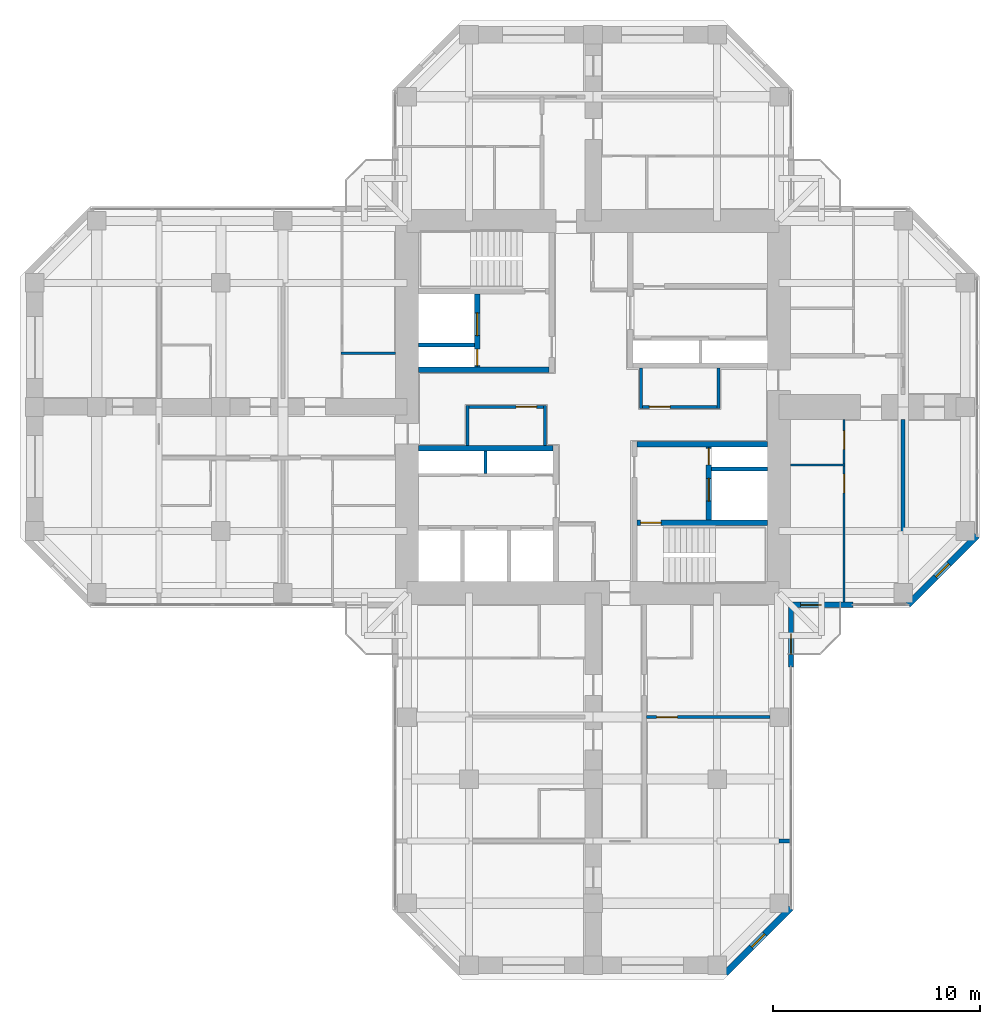
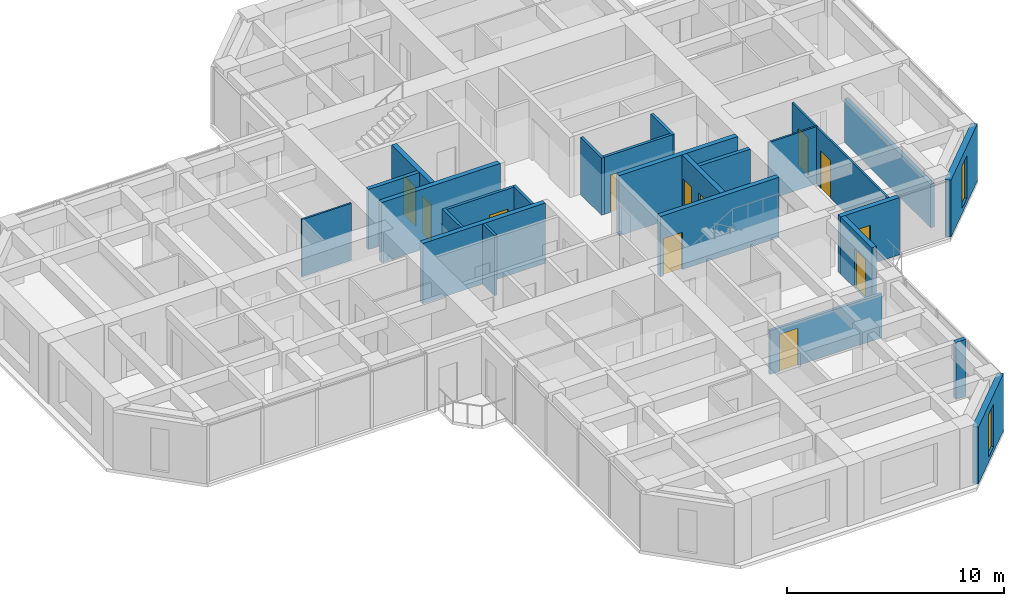
# One storey, part 10 of 14: 25 walls, 12 doors, 2 windows, 14 openings.
"""IFC4 building model written with IfcOpenShell, lengths in metres."""

import ifcopenshell
import ifcopenshell.guid

model = None  # the IFC model being written
_history = None  # IfcOwnerHistory: only IFC2X3 demands one
_inside = {}  # id of a spatial element -> (the spatial element, [elements in it])
_under = {}  # id of a project, library or spatial element -> (it, [spatial elements below it])
_declared = {}  # id of a project -> (the project, [libraries it declares])
_typed = {}  # id of a type object -> (the type object, [elements of that type])
_made_of = {}  # id of a material, layer set ... -> (it, [elements and type objects made of it])


def new_model(schema):
    """Start an empty IFC model of exactly this schema.

    Asked for "IFC4X3", IfcOpenShell would pick the latest addendum, in which some entities
    have other attributes; the version numbers below select the first issue.
    IFC2X3 requires an IfcOwnerHistory on every rooted entity: one is made here for all.
    """
    global model, _history
    if schema == "IFC4X3":
        model = ifcopenshell.file(schema_version=(4, 3, 0, 0))
    else:
        model = ifcopenshell.file(schema=schema)
    _inside.clear()
    _under.clear()
    _declared.clear()
    _typed.clear()
    _made_of.clear()
    _history = None
    if model.schema == "IFC2X3":
        org = make("IfcOrganization", Name="unknown")
        user = make(
            "IfcPersonAndOrganization",
            ThePerson=make("IfcPerson", FamilyName="unknown"),
            TheOrganization=org,
        )
        app = make(
            "IfcApplication",
            ApplicationDeveloper=org,
            Version="unknown",
            ApplicationFullName="unknown",
            ApplicationIdentifier="unknown",
        )
        _history = make(
            "IfcOwnerHistory",
            OwningUser=user,
            OwningApplication=app,
            ChangeAction="ADDED",
            CreationDate=0,
        )
    return model


def make(cls, **values):
    """One entity of the class cls with the attributes given. An attribute that is None is left unset."""
    return model.create_entity(
        cls, **{name: value for name, value in values.items() if value is not None}
    )


def rooted(cls, **values):
    """An entity with a GlobalId (a new one), such as an element, a storey or a relation."""
    return make(cls, GlobalId=ifcopenshell.guid.new(), OwnerHistory=_history, **values)


def si_unit(unit_type, name, prefix=None):
    """IfcSIUnit, for example si_unit("LENGTHUNIT", "METRE", prefix="MILLI")."""
    return make("IfcSIUnit", UnitType=unit_type, Prefix=prefix, Name=name)


def assignment(units):
    """IfcUnitAssignment: the units of a project."""
    return None if units is None else make("IfcUnitAssignment", Units=units)


def point(xyz):
    """IfcCartesianPoint."""
    return None if xyz is None else make("IfcCartesianPoint", Coordinates=xyz)


def direction(xyz):
    """IfcDirection."""
    return None if xyz is None else make("IfcDirection", DirectionRatios=xyz)


def frame(location, z_axis=None, x_axis=None):
    """IfcAxis2Placement3D, a coordinate frame: its origin and axes. An axis left out is left unset."""
    return make(
        "IfcAxis2Placement3D",
        Location=point(location),
        Axis=direction(z_axis),
        RefDirection=direction(x_axis),
    )


def frame_2d(location, x_axis=None):
    """IfcAxis2Placement2D, a coordinate frame in the plane: its origin and x axis."""
    return make(
        "IfcAxis2Placement2D", Location=point(location), RefDirection=direction(x_axis)
    )


def origin():
    """The frame at (0, 0, 0) with its axes left unset."""
    return frame((0.0, 0.0, 0.0))


def place(relative_to, where):
    """IfcLocalPlacement: puts the frame where relative to a parent placement (None: the world)."""
    return make(
        "IfcLocalPlacement", PlacementRelTo=relative_to, RelativePlacement=where
    )


def context(
    kind, dimensions, precision=None, world=None, true_north=None, identifier=None
):
    """IfcGeometricRepresentationContext, for example the 3D "Model" context."""
    return make(
        "IfcGeometricRepresentationContext",
        ContextIdentifier=identifier,
        ContextType=kind,
        CoordinateSpaceDimension=dimensions,
        Precision=precision,
        WorldCoordinateSystem=world,
        TrueNorth=true_north,
    )


def subcontext(parent, identifier, kind, view, scale=None):
    """IfcGeometricRepresentationSubContext, for example "Body" below "Model"."""
    return make(
        "IfcGeometricRepresentationSubContext",
        ContextIdentifier=identifier,
        ContextType=kind,
        ParentContext=parent,
        TargetScale=scale,
        TargetView=view,
    )


def project(units=None, contexts=None):
    """IfcProject with its units and contexts."""
    return rooted(
        "IfcProject",
        Name="project",
        RepresentationContexts=contexts,
        UnitsInContext=assignment(units),
    )


def spatial(cls, under=None, at=None, **own):
    """A site, building, storey or space (cls), placed at a placement, below another one or the project."""
    s = rooted(cls, ObjectPlacement=at, **own)
    if under is not None:
        _under.setdefault(under.id(), (under, []))[1].append(s)
    return s


def profile(cls, at=None, kind="AREA", **sizes):
    """A parametric profile (cls). Its sizes go by their IFC names, for example OverallWidth=200.0."""
    return make(cls, ProfileType=kind, Position=at, **sizes)


def rectangle(**sizes):
    """IfcRectangleProfileDef."""
    return profile("IfcRectangleProfileDef", **sizes)


def hollow_rectangle(**sizes):
    """IfcRectangleHollowProfileDef."""
    return profile("IfcRectangleHollowProfileDef", **sizes)


def extrude(swept, where, along, depth):
    """IfcExtrudedAreaSolid: the profile swept, set in the frame where, extruded along a direction by depth."""
    return make(
        "IfcExtrudedAreaSolid",
        SweptArea=swept,
        Position=where,
        ExtrudedDirection=direction(along),
        Depth=depth,
    )


def shape(context_of_items, identifier, shape_type, items):
    """IfcShapeRepresentation: the items that make up one representation, for example the "Body"."""
    return make(
        "IfcShapeRepresentation",
        ContextOfItems=context_of_items,
        RepresentationIdentifier=identifier,
        RepresentationType=shape_type,
        Items=items,
    )


def material(Name=None, Category=None):
    """IfcMaterial."""
    return make("IfcMaterial", Name=Name, Category=Category)


def layer(
    of_material, thickness, ventilated=None, Name=None, Category=None, Priority=None
):
    """IfcMaterialLayer: one layer of a wall or slab, of a material (None: an air gap)."""
    return make(
        "IfcMaterialLayer",
        Material=of_material,
        LayerThickness=thickness,
        IsVentilated=ventilated,
        Name=Name,
        Category=Category,
        Priority=Priority,
    )


def layer_set(layers, Name=None):
    """IfcMaterialLayerSet."""
    return make("IfcMaterialLayerSet", MaterialLayers=layers, LayerSetName=Name)


def constituent(of_material, Name=None, Category=None, fraction=None):
    """IfcMaterialConstituent: one of the materials an element consists of."""
    return make(
        "IfcMaterialConstituent",
        Name=Name,
        Material=of_material,
        Fraction=fraction,
        Category=Category,
    )


def constituent_set(constituents=None, Name=None):
    """IfcMaterialConstituentSet."""
    return make(
        "IfcMaterialConstituentSet", Name=Name, MaterialConstituents=constituents
    )


def made_of(thing, what):
    """Note that an element or type object is made of a material, layer set ...; save() writes the relation."""
    if what is not None:
        _made_of.setdefault(what.id(), (what, []))[1].append(thing)
    return thing


def type_object(cls, material=None, **own):
    """A type object (cls), such as IfcWallType, which elements share."""
    return made_of(rooted(cls, **own), material)


def element(
    cls,
    number,
    at=None,
    inside=None,
    cuts=None,
    type_object=None,
    material=None,
    context=None,
    identifier="Body",
    shape_type=None,
    held_by="IfcProductDefinitionShape",
    body=None,
    shapes=None,
    **own,
):
    """One element of the class cls, such as IfcWall. Its Tag is "e" and its number.

    at: its placement. inside: the storey or other place that contains it. cuts: it is an
    opening in that element (IfcRelVoidsElement). A single representation is given by context,
    identifier, shape_type and body (its items); several are given by shapes. held_by: the class
    of the entity that holds the representations. save() writes the other relations.
    """
    e = rooted(cls, Tag="e%d" % number, ObjectPlacement=at, **own)
    if body is not None:
        shapes = [shape(context, identifier, shape_type, body)]
    if shapes is not None:
        e.Representation = make(held_by, Representations=shapes)
    if inside is not None:
        _inside.setdefault(inside.id(), (inside, []))[1].append(e)
    if cuts is not None:
        rooted(
            "IfcRelVoidsElement", RelatingBuildingElement=cuts, RelatedOpeningElement=e
        )
    if type_object is not None:
        _typed.setdefault(type_object.id(), (type_object, []))[1].append(e)
    return made_of(e, material)


def fill(opening, filler):
    """IfcRelFillsElement: the door or window that sits in an opening."""
    return rooted(
        "IfcRelFillsElement",
        RelatingOpeningElement=opening,
        RelatedBuildingElement=filler,
    )


def aggregate(whole, parts):
    """IfcRelAggregates: a whole, such as a stair, and the parts it consists of."""
    return rooted("IfcRelAggregates", RelatingObject=whole, RelatedObjects=parts)


def save(model, path):
    """Write the relations noted so far, then the file.

    IfcRelAggregates (storeys below a building ...), IfcRelContainedInSpatialStructure (elements
    in a storey), IfcRelDefinesByType, IfcRelAssociatesMaterial and IfcRelDeclares: one each for
    every whole, place, type object, material and project.
    """
    for whole, parts in _under.values():
        aggregate(whole, parts)
    for where, things in _inside.values():
        rooted(
            "IfcRelContainedInSpatialStructure",
            RelatedElements=things,
            RelatingStructure=where,
        )
    for kind, things in _typed.values():
        rooted("IfcRelDefinesByType", RelatedObjects=things, RelatingType=kind)
    for what, things in _made_of.values():
        rooted("IfcRelAssociatesMaterial", RelatedObjects=things, RelatingMaterial=what)
    for by, libraries in _declared.values():
        rooted("IfcRelDeclares", RelatingContext=by, RelatedDefinitions=libraries)
    model.write(path)


model = new_model("IFC4")

# Units and contexts
model_context = context("Model", 3, precision=1e-05, world=origin(), true_north=direction((0.0, 1.0)))
body_context = subcontext(model_context, "Body", "Model", "MODEL_VIEW")
ifc_project = project(units=[si_unit("LENGTHUNIT", "METRE"), si_unit("AREAUNIT", "SQUARE_METRE"), si_unit("VOLUMEUNIT", "CUBIC_METRE"), si_unit("PLANEANGLEUNIT", "RADIAN"), si_unit("MASSUNIT", "GRAM", prefix="KILO")], contexts=[model_context])

# Site, building, storey
site_placement = place(None, origin())
site = spatial("IfcSite", under=ifc_project, at=site_placement, CompositionType="ELEMENT")
building_placement = place(site_placement, origin())
building = spatial("IfcBuilding", under=site, at=building_placement, Name="Torre Cruceta", CompositionType="ELEMENT")
storey_placement = place(building_placement, frame((0.0, 0.0, 183.10009765625)))
storey = spatial("IfcBuildingStorey", under=building, at=storey_placement, Name="L45", CompositionType="ELEMENT", Elevation=183.10009765625)

# Wall
ifc_material_1 = material(Name="Water-resistant plasterboard on steel studs", Category="steel")
ifc_layer_1 = layer(ifc_material_1, 0.10009765625)
ifc_layer_set_1 = layer_set([ifc_layer_1], Name="Water-resistant plasterboard on steel studs")
wall_type_1 = type_object("IfcWallType", Name="BATHROOM WALL 100", PredefinedType="PARTITIONING", material=ifc_layer_set_1)
wall_1_placement = place(storey_placement, frame((9.550048828125, -2.800048828125, 0.0), z_axis=(0.0, 0.0, 1.0), x_axis=(1.0, 0.0, 0.0)))
element("IfcWall", 1, at=wall_1_placement, inside=storey, type_object=wall_type_1, Name="PT4 L45-E-U1RBB", PredefinedType="PARTITIONING", context=body_context, shape_type="SweptSolid", body=[
    extrude(rectangle(XDim=2.64990234375, YDim=0.10009765625, at=frame_2d((1.324951171875, 0.0))), origin(), (0.0, 0.0, 1.0), 3.219970703125),
])

# Wall, openings, doors
wall_2_placement = place(storey_placement, frame((12.14990234375, -9.445068359375, 0.0), z_axis=(0.0, 0.0, 1.0), x_axis=(0.0, 1.0, 0.0)))
wall_2 = element("IfcWall", 2, at=wall_2_placement, inside=storey, type_object=wall_type_1, Name="PT4 L45-E-U1RBS", PredefinedType="PARTITIONING", context=body_context, shape_type="SweptSolid", body=[
    extrude(rectangle(XDim=8.844970703125, YDim=0.10009765625, at=frame_2d((4.42236328125, 0.0))), origin(), (0.0, 0.0, 1.0), 3.219970703125),
])
opening_1_placement = place(wall_2_placement, frame((5.294921875, 0.0, 0.0)))
opening_1 = element("IfcOpeningElement", 3, at=opening_1_placement, cuts=wall_2, Name="Opening D7", PredefinedType="OPENING", context=body_context, shape_type="SweptSolid", body=[
    extrude(rectangle(XDim=0.89990234375, YDim=2.10009765625, at=frame_2d((0.449951171875, 1.050048828125))), frame((0.0, 0.06005859375, 0.0), z_axis=(0.0, -1.0, 0.0), x_axis=(1.0, 0.0, 0.0)), (0.0, 0.0, 1.0), 0.1201171875),
])
opening_2_placement = place(wall_2_placement, frame((7.39501953125, 0.0, 0.0)))
opening_2 = element("IfcOpeningElement", 4, at=opening_2_placement, cuts=wall_2, Name="Opening D7", PredefinedType="OPENING", context=body_context, shape_type="SweptSolid", body=[
    extrude(rectangle(XDim=0.89990234375, YDim=2.10009765625, at=frame_2d((0.449951171875, 1.050048828125))), frame((0.0, 0.06005859375, 0.0), z_axis=(0.0, -1.0, 0.0), x_axis=(1.0, 0.0, 0.0)), (0.0, 0.0, 1.0), 0.1201171875),
])
ifc_material_2 = material(Name="Timber door", Category="wood")
door_type_1 = type_object("IfcDoorType", Name="BATHROOM DOOR 900X2100", OperationType="SINGLE_SWING_LEFT", PredefinedType="DOOR", material=ifc_material_2)
door_1_placement = place(opening_1_placement, origin())
door_1 = element("IfcDoor", 5, at=door_1_placement, inside=storey, type_object=door_type_1, Name="D7 L45-E-U1RBS-D1", OperationType="SINGLE_SWING_RIGHT", OverallHeight=2.10009765625, OverallWidth=0.89990234375, PredefinedType="DOOR", context=body_context, shape_type="SweptSolid", body=[
    extrude(rectangle(XDim=0.89990234375, YDim=2.10009765625, at=frame_2d((0.449951171875, 1.050048828125))), frame((0.0, 0.02490234375, 0.0), z_axis=(0.0, -1.0, 0.0), x_axis=(1.0, 0.0, 0.0)), (0.0, 0.0, 1.0), 0.050048828125),
])
fill(opening_1, door_1)
door_2_placement = place(opening_2_placement, origin())
door_2 = element("IfcDoor", 6, at=door_2_placement, inside=storey, type_object=door_type_1, Name="D7 L45-E-U1RBS-D2", OperationType="SINGLE_SWING_RIGHT", OverallHeight=2.10009765625, OverallWidth=0.89990234375, PredefinedType="DOOR", context=body_context, shape_type="SweptSolid", body=[
    extrude(rectangle(XDim=0.89990234375, YDim=2.10009765625, at=frame_2d((0.449951171875, 1.050048828125))), frame((0.0, 0.02490234375, 0.0), z_axis=(0.0, -1.0, 0.0), x_axis=(1.0, 0.0, 0.0)), (0.0, 0.0, 1.0), 0.050048828125),
])
fill(opening_2, door_2)

# Walls
wall_3_placement = place(storey_placement, frame((-9.550048828125, 2.60009765625, 0.0), z_axis=(0.0, 0.0, 1.0), x_axis=(-1.0, 0.0, 0.0)))
element("IfcWall", 7, at=wall_3_placement, inside=storey, type_object=wall_type_1, Name="PT4 L45-W-U1RBB", PredefinedType="PARTITIONING", context=body_context, shape_type="SweptSolid", body=[
    extrude(rectangle(XDim=2.64990234375, YDim=0.10009765625, at=frame_2d((1.324951171875, 0.0))), origin(), (0.0, 0.0, 1.0), 3.219970703125),
])
ifc_material_3 = material(Name="Concrete G60 (fck 60 MPa)", Category="concrete")
ifc_layer_2 = layer(ifc_material_3, 0.25)
ifc_layer_set_2 = layer_set([ifc_layer_2], Name="Concrete G60 (fck 60 MPa)")
wall_type_2 = type_object("IfcWallType", Name="CORE INNER WALL 250 G60", PredefinedType="SHEAR", material=ifc_layer_set_2)
wall_4_placement = place(storey_placement, frame((-2.125, 1.800048828125, 0.0), z_axis=(0.0, 0.0, 1.0), x_axis=(-1.0, 0.0, 0.0)))
element("IfcWall", 8, at=wall_4_placement, inside=storey, type_object=wall_type_2, Name="CW4 L45 NW-CV", PredefinedType="SHEAR", context=body_context, shape_type="SweptSolid", body=[
    extrude(rectangle(XDim=6.324951171875, YDim=0.25, at=frame_2d((3.16259765625, 0.0))), origin(), (0.0, 0.0, 1.0), 3.39990234375),
])

# Wall, openings, doors
wall_5_placement = place(storey_placement, frame((-5.60009765625, 1.925048828125, 0.0), z_axis=(0.0, 0.0, 1.0), x_axis=(0.0, 1.0, 0.0)))
wall_5 = element("IfcWall", 9, at=wall_5_placement, inside=storey, type_object=wall_type_2, Name="CW4 L45 NW-FU", PredefinedType="SHEAR", context=body_context, shape_type="SweptSolid", body=[
    extrude(rectangle(XDim=3.550048828125, YDim=0.25, at=frame_2d((1.77490234375, 0.0))), origin(), (0.0, 0.0, 1.0), 3.39990234375),
])
opening_3_placement = place(wall_5_placement, frame((1.52490234375, 0.0, 0.0)))
opening_3 = element("IfcOpeningElement", 10, at=opening_3_placement, cuts=wall_5, Name="Opening LD1", PredefinedType="OPENING", context=body_context, shape_type="SweptSolid", body=[
    extrude(rectangle(XDim=1.10009765625, YDim=2.199951171875, at=frame_2d((0.550048828125, 1.10009765625))), frame((0.0, 0.135009765625, 0.0), z_axis=(0.0, -1.0, 0.0), x_axis=(1.0, 0.0, 0.0)), (0.0, 0.0, 1.0), 0.27001953125),
])
opening_4_placement = place(wall_5_placement, frame((0.074951171875, 0.0, 0.0)))
opening_4 = element("IfcOpeningElement", 11, at=opening_4_placement, cuts=wall_5, Name="Opening D5", PredefinedType="OPENING", context=body_context, shape_type="SweptSolid", body=[
    extrude(rectangle(XDim=0.800048828125, YDim=2.10009765625, at=frame_2d((0.39990234375, 1.050048828125))), frame((0.0, 0.135009765625, 0.0), z_axis=(0.0, -1.0, 0.0), x_axis=(1.0, 0.0, 0.0)), (0.0, 0.0, 1.0), 0.27001953125),
])
ifc_material_4 = material(Name="Stainless steel 1.4401", Category="steel")
door_type_2 = type_object("IfcDoorType", Name="LIFT LANDING DOOR 1100X2200", OperationType="DOUBLE_DOOR_SLIDING", PredefinedType="DOOR", material=ifc_material_4)
door_3_placement = place(opening_3_placement, origin())
door_3 = element("IfcDoor", 12, at=door_3_placement, inside=storey, type_object=door_type_2, Name="Lift landing door FL1", OperationType="DOUBLE_DOOR_SLIDING", OverallHeight=2.199951171875, OverallWidth=1.10009765625, PredefinedType="DOOR", context=body_context, shape_type="SweptSolid", body=[
    extrude(rectangle(XDim=1.10009765625, YDim=2.199951171875, at=frame_2d((0.550048828125, 1.10009765625))), frame((0.0, 0.02490234375, 0.0), z_axis=(0.0, -1.0, 0.0), x_axis=(1.0, 0.0, 0.0)), (0.0, 0.0, 1.0), 0.050048828125),
])
fill(opening_3, door_3)
ifc_material_5 = material(Name="Steel DX51D", Category="steel")
ifc_constituent_1 = constituent(ifc_material_5, Name="Leaf and frame")
ifc_material_6 = material(Name="Polyester powder coating", Category="paint")
ifc_constituent_2 = constituent(ifc_material_6, Name="Finish")
ifc_constituent_set_1 = constituent_set(constituents=[ifc_constituent_1, ifc_constituent_2], Name="Steel fire door")
door_type_3 = type_object("IfcDoorType", Name="RISER ACCESS DOOR 800X2100", OperationType="SINGLE_SWING_LEFT", PredefinedType="DOOR", material=ifc_constituent_set_1)
door_4_placement = place(opening_4_placement, origin())
door_4 = element("IfcDoor", 13, at=door_4_placement, inside=storey, type_object=door_type_3, Name="D5 L45 NW-RISER", OperationType="SINGLE_SWING_LEFT", OverallHeight=2.10009765625, OverallWidth=0.800048828125, PredefinedType="DOOR", context=body_context, shape_type="SweptSolid", body=[
    extrude(rectangle(XDim=0.800048828125, YDim=2.10009765625, at=frame_2d((0.39990234375, 1.050048828125))), frame((0.0, 0.02490234375, 0.0), z_axis=(0.0, -1.0, 0.0), x_axis=(1.0, 0.0, 0.0)), (0.0, 0.0, 1.0), 0.050048828125),
])
fill(opening_4, door_4)

# Walls
wall_6_placement = place(storey_placement, frame((-1.925048828125, -2.0, 0.0), z_axis=(0.0, 0.0, 1.0), x_axis=(-1.0, 0.0, 0.0)))
element("IfcWall", 14, at=wall_6_placement, inside=storey, type_object=wall_type_2, Name="CW4 L45 SW-CV", PredefinedType="SHEAR", context=body_context, shape_type="SweptSolid", body=[
    extrude(rectangle(XDim=6.52490234375, YDim=0.25, at=frame_2d((3.262451171875, 0.0))), origin(), (0.0, 0.0, 1.0), 3.39990234375),
])
wall_7_placement = place(storey_placement, frame((2.125, -1.800048828125, 0.0), z_axis=(0.0, 0.0, 1.0), x_axis=(1.0, 0.0, 0.0)))
element("IfcWall", 15, at=wall_7_placement, inside=storey, type_object=wall_type_2, Name="CW4 L45 SE-CV", PredefinedType="SHEAR", context=body_context, shape_type="SweptSolid", body=[
    extrude(rectangle(XDim=6.324951171875, YDim=0.25, at=frame_2d((3.16259765625, 0.0))), origin(), (0.0, 0.0, 1.0), 3.39990234375),
])

# Wall, opening, door
wall_8_placement = place(storey_placement, frame((2.125, -5.60009765625, 0.0), z_axis=(0.0, 0.0, 1.0), x_axis=(1.0, 0.0, 0.0)))
wall_8 = element("IfcWall", 16, at=wall_8_placement, inside=storey, type_object=wall_type_2, Name="CW4 L45 SE-SV", PredefinedType="SHEAR", context=body_context, shape_type="SweptSolid", body=[
    extrude(rectangle(XDim=6.324951171875, YDim=0.25, at=frame_2d((3.16259765625, 0.0))), origin(), (0.0, 0.0, 1.0), 3.39990234375),
])
opening_5_placement = place(wall_8_placement, frame((0.175048828125, 0.0, 0.0)))
opening_5 = element("IfcOpeningElement", 17, at=opening_5_placement, cuts=wall_8, Name="Opening D3", PredefinedType="OPENING", context=body_context, shape_type="SweptSolid", body=[
    extrude(rectangle(XDim=1.0, YDim=2.10009765625, at=frame_2d((0.5, 1.050048828125))), frame((0.0, 0.135009765625, 0.0), z_axis=(0.0, -1.0, 0.0), x_axis=(1.0, 0.0, 0.0)), (0.0, 0.0, 1.0), 0.27001953125),
])
ifc_material_7 = material(Name="Steel DX51D", Category="steel")
ifc_constituent_3 = constituent(ifc_material_7, Name="Leaf and frame")
ifc_material_8 = material(Name="Polyester powder coating", Category="paint")
ifc_constituent_4 = constituent(ifc_material_8, Name="Finish")
ifc_constituent_set_2 = constituent_set(constituents=[ifc_constituent_3, ifc_constituent_4], Name="Steel fire door")
door_type_4 = type_object("IfcDoorType", Name="FIRE DOOR 1000X2100", OperationType="SINGLE_SWING_LEFT", PredefinedType="DOOR", material=ifc_constituent_set_2)
door_5_placement = place(opening_5_placement, frame((1.0, 0.0, 0.0), z_axis=(0.0, 0.0, 1.0), x_axis=(-1.0, 0.0, 0.0)))
door_5 = element("IfcDoor", 18, at=door_5_placement, inside=storey, type_object=door_type_4, Name="D3 L45 SE-STAIR", OperationType="SINGLE_SWING_RIGHT", OverallHeight=2.10009765625, OverallWidth=1.0, PredefinedType="DOOR", context=body_context, shape_type="SweptSolid", body=[
    extrude(rectangle(XDim=1.0, YDim=2.10009765625, at=frame_2d((0.5, 1.050048828125))), frame((0.0, 0.025146484375, 0.0), z_axis=(0.0, -1.0, 0.0), x_axis=(1.0, 0.0, 0.0)), (0.0, 0.0, 1.0), 0.050048828125),
])
fill(opening_5, door_5)

# Wall, openings, doors
wall_9_placement = place(storey_placement, frame((5.60009765625, -1.925048828125, 0.0), z_axis=(0.0, 0.0, 1.0), x_axis=(0.0, -1.0, 0.0)))
wall_9 = element("IfcWall", 19, at=wall_9_placement, inside=storey, type_object=wall_type_2, Name="CW4 L45 SE-FU", PredefinedType="SHEAR", context=body_context, shape_type="SweptSolid", body=[
    extrude(rectangle(XDim=3.550048828125, YDim=0.25, at=frame_2d((1.77490234375, 0.0))), origin(), (0.0, 0.0, 1.0), 3.39990234375),
])
opening_6_placement = place(wall_9_placement, frame((1.52490234375, 0.0, 0.0)))
opening_6 = element("IfcOpeningElement", 20, at=opening_6_placement, cuts=wall_9, Name="Opening LD1", PredefinedType="OPENING", context=body_context, shape_type="SweptSolid", body=[
    extrude(rectangle(XDim=1.10009765625, YDim=2.199951171875, at=frame_2d((0.550048828125, 1.10009765625))), frame((0.0, 0.135009765625, 0.0), z_axis=(0.0, -1.0, 0.0), x_axis=(1.0, 0.0, 0.0)), (0.0, 0.0, 1.0), 0.27001953125),
])
opening_7_placement = place(wall_9_placement, frame((0.074951171875, 0.0, 0.0)))
opening_7 = element("IfcOpeningElement", 21, at=opening_7_placement, cuts=wall_9, Name="Opening D5", PredefinedType="OPENING", context=body_context, shape_type="SweptSolid", body=[
    extrude(rectangle(XDim=0.800048828125, YDim=2.10009765625, at=frame_2d((0.39990234375, 1.050048828125))), frame((0.0, 0.135009765625, 0.0), z_axis=(0.0, -1.0, 0.0), x_axis=(1.0, 0.0, 0.0)), (0.0, 0.0, 1.0), 0.27001953125),
])
door_6_placement = place(opening_6_placement, origin())
door_6 = element("IfcDoor", 22, at=door_6_placement, inside=storey, type_object=door_type_2, Name="Lift landing door FL2", OperationType="DOUBLE_DOOR_SLIDING", OverallHeight=2.199951171875, OverallWidth=1.10009765625, PredefinedType="DOOR", context=body_context, shape_type="SweptSolid", body=[
    extrude(rectangle(XDim=1.10009765625, YDim=2.199951171875, at=frame_2d((0.550048828125, 1.10009765625))), frame((0.0, 0.02490234375, 0.0), z_axis=(0.0, -1.0, 0.0), x_axis=(1.0, 0.0, 0.0)), (0.0, 0.0, 1.0), 0.050048828125),
])
fill(opening_6, door_6)
door_7_placement = place(opening_7_placement, origin())
door_7 = element("IfcDoor", 23, at=door_7_placement, inside=storey, type_object=door_type_3, Name="D5 L45 SE-RISER", OperationType="SINGLE_SWING_LEFT", OverallHeight=2.10009765625, OverallWidth=0.800048828125, PredefinedType="DOOR", context=body_context, shape_type="SweptSolid", body=[
    extrude(rectangle(XDim=0.800048828125, YDim=2.10009765625, at=frame_2d((0.39990234375, 1.050048828125))), frame((0.0, 0.02490234375, 0.0), z_axis=(0.0, -1.0, 0.0), x_axis=(1.0, 0.0, 0.0)), (0.0, 0.0, 1.0), 0.050048828125),
])
fill(opening_7, door_7)

# Wall, opening, window
ifc_material_9 = material(Name="Concrete G30 (fck 30 MPa)", Category="concrete")
ifc_layer_3 = layer(ifc_material_9, 0.300048828125)
ifc_layer_set_3 = layer_set([ifc_layer_3], Name="Concrete G30 (fck 30 MPa)")
wall_type_3 = type_object("IfcWallType", Name="EXPOSED CONCRETE FACADE WALL 300", PredefinedType="SOLIDWALL", material=ifc_layer_set_3)
wall_10_placement = place(storey_placement, frame((15.236083984375, -9.570068359375, 0.0), z_axis=(0.0, 0.0, 1.0), x_axis=(0.707106781187, 0.707106781187, 0.0)))
wall_10 = element("IfcWall", 24, at=wall_10_placement, inside=storey, type_object=wall_type_3, Name="EW1 facade wall L45 E chamfer 01", PredefinedType="SOLIDWALL", context=body_context, shape_type="SweptSolid", body=[
    extrude(rectangle(XDim=4.715087890625, YDim=0.300048828125, at=frame_2d((2.357421875, 0.0))), origin(), (0.0, 0.0, 1.0), 3.219970703125),
])
opening_8_placement = place(wall_10_placement, frame((1.907470703125, 0.0, 0.300048828125)))
opening_8 = element("IfcOpeningElement", 25, at=opening_8_placement, cuts=wall_10, Name="Opening WN5", PredefinedType="OPENING", context=body_context, shape_type="SweptSolid", body=[
    extrude(rectangle(XDim=0.89990234375, YDim=2.39990234375, at=frame_2d((0.449951171875, 1.199951171875))), frame((0.0, 0.159912109375, 0.0), z_axis=(0.0, -1.0, 0.0), x_axis=(1.0, 0.0, 0.0)), (0.0, 0.0, 1.0), 0.320068359375),
])
ifc_material_10 = material(Name="Aluminium window frame", Category="aluminium")
ifc_constituent_5 = constituent(ifc_material_10, Name="Frame")
ifc_material_11 = material(Name="Laminated insulating glass unit, low-iron clear", Category="glass")
ifc_constituent_6 = constituent(ifc_material_11, Name="Glazing")
ifc_constituent_set_3 = constituent_set(constituents=[ifc_constituent_5, ifc_constituent_6], Name="Aluminium window")
window_type = type_object("IfcWindowType", Name="CHAMFER SLOT WINDOW 900X2400", PartitioningType="SINGLE_PANEL", PredefinedType="WINDOW", material=ifc_constituent_set_3)
window_1_placement = place(opening_8_placement, origin())
window_1 = element("IfcWindow", 26, at=window_1_placement, inside=storey, type_object=window_type, Name="WN5 L45 E 1", OverallHeight=2.39990234375, OverallWidth=0.89990234375, PartitioningType="SINGLE_PANEL", PredefinedType="WINDOW", context=body_context, shape_type="SweptSolid", body=[
    extrude(hollow_rectangle(XDim=0.89990234375, YDim=2.39990234375, WallThickness=0.06005859375, at=frame_2d((0.449951171875, 1.199951171875))), frame((0.0, 0.030029296875, 0.0), z_axis=(0.0, -1.0, 0.0), x_axis=(1.0, 0.0, 0.0)), (0.0, 0.0, 1.0), 0.06005859375),
    extrude(rectangle(XDim=0.77880859375, YDim=2.27880859375, at=frame_2d((0.449951171875, 1.199951171875))), frame((0.0, 0.030029296875, 0.0), z_axis=(0.0, -1.0, 0.0), x_axis=(1.0, 0.0, 0.0)), (0.0, 0.0, 1.0), 0.06005859375),
])
fill(opening_8, window_1)

wall_11_placement = place(storey_placement, frame((6.406005859375, -27.39990234375, 0.0), z_axis=(0.0, 0.0, 1.0), x_axis=(0.707134062067, 0.707079499254, 0.0)))
wall_11 = element("IfcWall", 27, at=wall_11_placement, inside=storey, type_object=wall_type_3, Name="EW1 facade wall L45 S chamfer 18", PredefinedType="SOLIDWALL", context=body_context, shape_type="SweptSolid", body=[
    extrude(rectangle(XDim=4.474609375, YDim=0.300048828125, at=frame_2d((2.2373046875, 0.0))), origin(), (0.0, 0.0, 1.0), 3.219970703125),
])
opening_9_placement = place(wall_11_placement, frame((1.787109375, 0.0, 0.300048828125)))
opening_9 = element("IfcOpeningElement", 28, at=opening_9_placement, cuts=wall_11, Name="Opening WN5", PredefinedType="OPENING", context=body_context, shape_type="SweptSolid", body=[
    extrude(rectangle(XDim=0.89990234375, YDim=2.39990234375, at=frame_2d((0.449951171875, 1.199951171875))), frame((0.0, 0.159912109375, 0.0), z_axis=(0.0, -1.0, 0.0), x_axis=(1.0, 0.0, 0.0)), (0.0, 0.0, 1.0), 0.320068359375),
])
window_2_placement = place(opening_9_placement, origin())
window_2 = element("IfcWindow", 29, at=window_2_placement, inside=storey, type_object=window_type, Name="WN5 L45 S 1", OverallHeight=2.39990234375, OverallWidth=0.89990234375, PartitioningType="SINGLE_PANEL", PredefinedType="WINDOW", context=body_context, shape_type="SweptSolid", body=[
    extrude(hollow_rectangle(XDim=0.89990234375, YDim=2.39990234375, WallThickness=0.06005859375, at=frame_2d((0.449951171875, 1.199951171875))), frame((0.0, 0.030029296875, 0.0), z_axis=(0.0, -1.0, 0.0), x_axis=(1.0, 0.0, 0.0)), (0.0, 0.0, 1.0), 0.06005859375),
    extrude(rectangle(XDim=0.77880859375, YDim=2.27880859375, at=frame_2d((0.449951171875, 1.199951171875))), frame((0.0, 0.030029296875, 0.0), z_axis=(0.0, -1.0, 0.0), x_axis=(1.0, 0.0, 0.0)), (0.0, 0.0, 1.0), 0.06005859375),
])
fill(opening_9, window_2)

# Walls
ifc_material_12 = material(Name="Concrete G35 (fck 35 MPa)", Category="concrete")
ifc_layer_4 = layer(ifc_material_12, 0.199951171875)
ifc_layer_set_4 = layer_set([ifc_layer_4], Name="Concrete G35 (fck 35 MPa)")
wall_type_4 = type_object("IfcWallType", Name="LIFT SHAFT WALL 200", PredefinedType="PARTITIONING", material=ifc_layer_set_4)
for number, where, z_axis, x_axis, name in (
    (30, (-5.72509765625, 3.0, 0.0), (0.0, 0.0, 1.0), (-1.0, 0.0, 0.0), "SW1 L45 NW-FR"),
    (31, (5.72509765625, -3.0, 0.0), (0.0, 0.0, 1.0), (1.0, 0.0, 0.0), "SW1 L45 SE-FR"),
):
    element("IfcWall", number, at=place(storey_placement, frame(where, z_axis=z_axis, x_axis=x_axis)), inside=storey, type_object=wall_type_4, Name=name, PredefinedType="PARTITIONING", context=body_context, shape_type="SweptSolid", body=[
        extrude(rectangle(XDim=2.724853515625, YDim=0.199951171875, at=frame_2d((1.3623046875, 0.0))), origin(), (0.0, 0.0, 1.0), 3.39990234375),
    ])

# Wall, opening, door
ifc_material_13 = material(Name="Plasterboard on steel studs", Category="steel")
ifc_layer_5 = layer(ifc_material_13, 0.14990234375)
ifc_layer_set_5 = layer_set([ifc_layer_5], Name="Plasterboard on steel studs")
wall_type_5 = type_object("IfcWallType", Name="PARTITION 150", PredefinedType="PARTITIONING", material=ifc_layer_set_5)
wall_12_placement = place(storey_placement, frame((2.324951171875, 0.0, 0.0), z_axis=(0.0, 0.0, 1.0), x_axis=(1.0, 0.0, 0.0)))
wall_12 = element("IfcWall", 32, at=wall_12_placement, inside=storey, type_object=wall_type_5, Name="PT1 L45-CORE-LEGE-N-W1", PredefinedType="PARTITIONING", context=body_context, shape_type="SweptSolid", body=[
    extrude(rectangle(XDim=3.75, YDim=0.14990234375, at=frame_2d((1.875, 0.0))), origin(), (0.0, 0.0, 1.0), 3.219970703125),
])
opening_10_placement = place(wall_12_placement, frame((0.39990234375, 0.0, 0.0)))
opening_10 = element("IfcOpeningElement", 33, at=opening_10_placement, cuts=wall_12, Name="Opening D3", PredefinedType="OPENING", context=body_context, shape_type="SweptSolid", body=[
    extrude(rectangle(XDim=1.0, YDim=2.10009765625, at=frame_2d((0.5, 1.050048828125))), frame((0.0, 0.0849609375, 0.0), z_axis=(0.0, -1.0, 0.0), x_axis=(1.0, 0.0, 0.0)), (0.0, 0.0, 1.0), 0.169921875),
])
door_8_placement = place(opening_10_placement, origin())
door_8 = element("IfcDoor", 34, at=door_8_placement, inside=storey, type_object=door_type_4, Name="D3 L45-CORE-LEGE-N-W1-D1", OperationType="SINGLE_SWING_LEFT", OverallHeight=2.10009765625, OverallWidth=1.0, PredefinedType="DOOR", context=body_context, shape_type="SweptSolid", body=[
    extrude(rectangle(XDim=1.0, YDim=2.10009765625, at=frame_2d((0.5, 1.050048828125))), frame((0.0, 0.02490234375, 0.0), z_axis=(0.0, -1.0, 0.0), x_axis=(1.0, 0.0, 0.0)), (0.0, 0.0, 1.0), 0.050048828125),
])
fill(opening_10, door_8)

# Walls
for number, where, z_axis, x_axis, name in (
    (35, (2.324951171875, 1.875, 0.0), (0.0, 0.0, 1.0), (0.0, -1.0, 0.0), "PT1 L45-CORE-LEGE-N-W2"),
    (36, (6.074951171875, -0.074951171875, 0.0), (0.0, 0.0, 1.0), (0.0, 1.0, 0.0), "PT1 L45-CORE-LEGE-N-W3"),
):
    element("IfcWall", number, at=place(storey_placement, frame(where, z_axis=z_axis, x_axis=x_axis)), inside=storey, type_object=wall_type_5, Name=name, PredefinedType="PARTITIONING", context=body_context, shape_type="SweptSolid", body=[
        extrude(rectangle(XDim=1.949951171875, YDim=0.14990234375, at=frame_2d((0.97509765625, 0.0))), origin(), (0.0, 0.0, 1.0), 3.219970703125),
    ])

# Wall, opening, door
wall_13_placement = place(storey_placement, frame((-2.324951171875, 0.0, 0.0), z_axis=(0.0, 0.0, 1.0), x_axis=(-1.0, 0.0, 0.0)))
wall_13 = element("IfcWall", 37, at=wall_13_placement, inside=storey, type_object=wall_type_5, Name="PT1 L45-CORE-LEGW-S-W1", PredefinedType="PARTITIONING", context=body_context, shape_type="SweptSolid", body=[
    extrude(rectangle(XDim=3.75, YDim=0.14990234375, at=frame_2d((1.875, 0.0))), origin(), (0.0, 0.0, 1.0), 3.219970703125),
])
opening_11_placement = place(wall_13_placement, frame((0.39990234375, 0.0, 0.0)))
opening_11 = element("IfcOpeningElement", 38, at=opening_11_placement, cuts=wall_13, Name="Opening D3", PredefinedType="OPENING", context=body_context, shape_type="SweptSolid", body=[
    extrude(rectangle(XDim=1.0, YDim=2.10009765625, at=frame_2d((0.5, 1.050048828125))), frame((0.0, 0.0849609375, 0.0), z_axis=(0.0, -1.0, 0.0), x_axis=(1.0, 0.0, 0.0)), (0.0, 0.0, 1.0), 0.169921875),
])
door_9_placement = place(opening_11_placement, origin())
door_9 = element("IfcDoor", 39, at=door_9_placement, inside=storey, type_object=door_type_4, Name="D3 L45-CORE-LEGW-S-W1-D1", OperationType="SINGLE_SWING_LEFT", OverallHeight=2.10009765625, OverallWidth=1.0, PredefinedType="DOOR", context=body_context, shape_type="SweptSolid", body=[
    extrude(rectangle(XDim=1.0, YDim=2.10009765625, at=frame_2d((0.5, 1.050048828125))), frame((0.0, 0.02490234375, 0.0), z_axis=(0.0, -1.0, 0.0), x_axis=(1.0, 0.0, 0.0)), (0.0, 0.0, 1.0), 0.050048828125),
])
fill(opening_11, door_9)

# Walls
for number, where, z_axis, x_axis, name in (
    (40, (-2.324951171875, -1.875, 0.0), (0.0, 0.0, 1.0), (0.0, 1.0, 0.0), "PT1 L45-CORE-LEGW-S-W2"),
    (41, (-6.074951171875, 0.074951171875, 0.0), (0.0, 0.0, 1.0), (0.0, -1.0, 0.0), "PT1 L45-CORE-LEGW-S-W3"),
):
    element("IfcWall", number, at=place(storey_placement, frame(where, z_axis=z_axis, x_axis=x_axis)), inside=storey, type_object=wall_type_5, Name=name, PredefinedType="PARTITIONING", context=body_context, shape_type="SweptSolid", body=[
        extrude(rectangle(XDim=1.949951171875, YDim=0.14990234375, at=frame_2d((0.97509765625, 0.0))), origin(), (0.0, 0.0, 1.0), 3.219970703125),
    ])

# Wall, opening, door
wall_14_placement = place(storey_placement, frame((2.574951171875, -15.0, 0.0), z_axis=(0.0, 0.0, 1.0), x_axis=(1.0, 0.0, 0.0)))
wall_14 = element("IfcWall", 42, at=wall_14_placement, inside=storey, type_object=wall_type_5, Name="PT1 L45-S-P1L", PredefinedType="PARTITIONING", context=body_context, shape_type="SweptSolid", body=[
    extrude(rectangle(XDim=5.97509765625, YDim=0.14990234375, at=frame_2d((2.987548828125, 0.0))), origin(), (0.0, 0.0, 1.0), 2.469970703125),
])
opening_12_placement = place(wall_14_placement, frame((0.5, 0.0, 0.0)))
opening_12 = element("IfcOpeningElement", 43, at=opening_12_placement, cuts=wall_14, Name="Opening D3", PredefinedType="OPENING", context=body_context, shape_type="SweptSolid", body=[
    extrude(rectangle(XDim=1.0, YDim=2.10009765625, at=frame_2d((0.5, 1.050048828125))), frame((0.0, 0.0849609375, 0.0), z_axis=(0.0, -1.0, 0.0), x_axis=(1.0, 0.0, 0.0)), (0.0, 0.0, 1.0), 0.169921875),
])
door_10_placement = place(opening_12_placement, origin())
door_10 = element("IfcDoor", 44, at=door_10_placement, inside=storey, type_object=door_type_4, Name="D3 L45-S-P1L-D1", OperationType="SINGLE_SWING_LEFT", OverallHeight=2.10009765625, OverallWidth=1.0, PredefinedType="DOOR", context=body_context, shape_type="SweptSolid", body=[
    extrude(rectangle(XDim=1.0, YDim=2.10009765625, at=frame_2d((0.5, 1.050048828125))), frame((0.0, 0.02490234375, 0.0), z_axis=(0.0, -1.0, 0.0), x_axis=(1.0, 0.0, 0.0)), (0.0, 0.0, 1.0), 0.050048828125),
])
fill(opening_12, door_10)

# Walls
ifc_material_14 = material(Name="Concrete block masonry", Category="masonry")
ifc_layer_6 = layer(ifc_material_14, 0.14990234375)
ifc_layer_set_6 = layer_set([ifc_layer_6], Name="Concrete block masonry")
wall_type_6 = type_object("IfcWallType", Name="RISER WALL 150", PredefinedType="PARTITIONING", material=ifc_layer_set_6)
wall_15_placement = place(storey_placement, frame((-5.199951171875, -2.125, 0.0), z_axis=(0.0, 0.0, 1.0), x_axis=(0.0, -1.0, 0.0)))
element("IfcWall", 45, at=wall_15_placement, inside=storey, type_object=wall_type_6, Name="SW7 L45 SW-RU", PredefinedType="PARTITIONING", context=body_context, shape_type="SweptSolid", body=[
    extrude(rectangle(XDim=1.10009765625, YDim=0.14990234375, at=frame_2d((0.550048828125, 0.0))), origin(), (0.0, 0.0, 1.0), 3.39990234375),
])
ifc_material_15 = material(Name="Concrete G25 (fck 25 MPa)", Category="concrete")
ifc_layer_7 = layer(ifc_material_15, 0.199951171875)
ifc_layer_set_7 = layer_set([ifc_layer_7], Name="Concrete G25 (fck 25 MPa)")
wall_type_7 = type_object("IfcWallType", Name="UNIT SEPARATING WALL 200", PredefinedType="SOLIDWALL", material=ifc_layer_set_7)
wall_16_placement = place(storey_placement, frame((15.0, -8.550048828125, 0.0), z_axis=(0.0, 0.0, 1.0), x_axis=(0.0, 1.0, 0.0)))
element("IfcWall", 46, at=wall_16_placement, inside=storey, type_object=wall_type_7, Name="PT2 L45-E-ENDa", PredefinedType="SOLIDWALL", context=body_context, shape_type="SweptSolid", body=[
    extrude(rectangle(XDim=7.949951171875, YDim=0.199951171875, at=frame_2d((3.97509765625, 0.0))), origin(), (0.0, 0.0, 1.0), 2.469970703125),
])
wall_17_placement = place(storey_placement, frame((9.0, -21.0, 0.0), z_axis=(0.0, 0.0, 1.0), x_axis=(1.0, 0.0, 0.0)))
element("IfcWall", 47, at=wall_17_placement, inside=storey, type_object=wall_type_7, Name="PT2 L45-S-ENDb 2", PredefinedType="SOLIDWALL", context=body_context, shape_type="SweptSolid", body=[
    extrude(rectangle(XDim=0.530029296875, YDim=0.199951171875, at=frame_2d((0.26513671875, 0.0))), origin(), (0.0, 0.0, 1.0), 3.219970703125),
])

# Wall, opening, door
ifc_material_16 = material(Name="Concrete G30 (fck 30 MPa)", Category="concrete")
ifc_layer_8 = layer(ifc_material_16, 0.25)
ifc_layer_set_8 = layer_set([ifc_layer_8], Name="Concrete G30 (fck 30 MPa)")
wall_type_8 = type_object("IfcWallType", Name="WINTER GARDEN WALL 250", PredefinedType="SOLIDWALL", material=ifc_layer_set_8)
wall_18_placement = place(storey_placement, frame((9.445068359375, -9.570068359375, 0.0), z_axis=(0.0, 0.0, 1.0), x_axis=(1.0, 0.0, 0.0)))
wall_18 = element("IfcWall", 48, at=wall_18_placement, inside=storey, type_object=wall_type_8, Name="EW2 winter garden wall L45 00", PredefinedType="SOLIDWALL", context=body_context, shape_type="SweptSolid", body=[
    extrude(rectangle(XDim=3.125, YDim=0.25, at=frame_2d((1.5625, 0.0))), origin(), (0.0, 0.0, 1.0), 3.219970703125),
])
opening_13_placement = place(wall_18_placement, frame((0.60009765625, 0.0, 0.0)))
opening_13 = element("IfcOpeningElement", 49, at=opening_13_placement, cuts=wall_18, Name="Opening D10", PredefinedType="OPENING", context=body_context, shape_type="SweptSolid", body=[
    extrude(rectangle(XDim=1.0, YDim=2.199951171875, at=frame_2d((0.5, 1.10009765625))), frame((0.0, 0.135009765625, 0.0), z_axis=(0.0, -1.0, 0.0), x_axis=(1.0, 0.0, 0.0)), (0.0, 0.0, 1.0), 0.27001953125),
])
ifc_material_17 = material(Name="Aluminium door frame", Category="aluminium")
ifc_constituent_7 = constituent(ifc_material_17, Name="Frame")
ifc_material_18 = material(Name="Laminated safety glass", Category="glass")
ifc_constituent_8 = constituent(ifc_material_18, Name="Glazing")
ifc_constituent_set_4 = constituent_set(constituents=[ifc_constituent_7, ifc_constituent_8], Name="Aluminium glazed door")
door_type_5 = type_object("IfcDoorType", Name="BALCONY DOOR 1000X2200", OperationType="SINGLE_SWING_RIGHT", PredefinedType="DOOR", material=ifc_constituent_set_4)
door_11_placement = place(opening_13_placement, origin())
door_11 = element("IfcDoor", 50, at=door_11_placement, inside=storey, type_object=door_type_5, Name="D10 balcony door L45 00", OperationType="SINGLE_SWING_LEFT", OverallHeight=2.199951171875, OverallWidth=1.0, PredefinedType="DOOR", context=body_context, shape_type="SweptSolid", body=[
    extrude(hollow_rectangle(XDim=1.0, YDim=2.199951171875, WallThickness=0.06005859375, at=frame_2d((0.5, 1.10009765625))), frame((0.0, 0.02490234375, 0.0), z_axis=(0.0, -1.0, 0.0), x_axis=(1.0, 0.0, 0.0)), (0.0, 0.0, 1.0), 0.050048828125),
    extrude(rectangle(XDim=0.87890625, YDim=2.078857421875, at=frame_2d((0.5, 1.10009765625))), frame((0.0, 0.02490234375, 0.0), z_axis=(0.0, -1.0, 0.0), x_axis=(1.0, 0.0, 0.0)), (0.0, 0.0, 1.0), 0.050048828125),
])
fill(opening_13, door_11)

wall_19_placement = place(storey_placement, frame((9.570068359375, -12.570068359375, 0.0), z_axis=(0.0, 0.0, 1.0), x_axis=(0.0, 1.0, 0.0)))
wall_19 = element("IfcWall", 51, at=wall_19_placement, inside=storey, type_object=wall_type_8, Name="EW2 winter garden wall L45 19", PredefinedType="SOLIDWALL", context=body_context, shape_type="SweptSolid", body=[
    extrude(rectangle(XDim=2.875, YDim=0.25, at=frame_2d((1.4375, 0.0))), origin(), (0.0, 0.0, 1.0), 3.219970703125),
])
opening_14_placement = place(wall_19_placement, frame((0.60009765625, 0.0, 0.0)))
opening_14 = element("IfcOpeningElement", 52, at=opening_14_placement, cuts=wall_19, Name="Opening D10", PredefinedType="OPENING", context=body_context, shape_type="SweptSolid", body=[
    extrude(rectangle(XDim=1.0, YDim=2.199951171875, at=frame_2d((0.5, 1.10009765625))), frame((0.0, 0.135009765625, 0.0), z_axis=(0.0, -1.0, 0.0), x_axis=(1.0, 0.0, 0.0)), (0.0, 0.0, 1.0), 0.27001953125),
])
door_12_placement = place(opening_14_placement, origin())
door_12 = element("IfcDoor", 53, at=door_12_placement, inside=storey, type_object=door_type_5, Name="D10 balcony door L45 19", OperationType="SINGLE_SWING_RIGHT", OverallHeight=2.199951171875, OverallWidth=1.0, PredefinedType="DOOR", context=body_context, shape_type="SweptSolid", body=[
    extrude(hollow_rectangle(XDim=1.0, YDim=2.199951171875, WallThickness=0.06005859375, at=frame_2d((0.5, 1.10009765625))), frame((0.0, 0.02490234375, 0.0), z_axis=(0.0, -1.0, 0.0), x_axis=(1.0, 0.0, 0.0)), (0.0, 0.0, 1.0), 0.050048828125),
    extrude(rectangle(XDim=0.87890625, YDim=2.078857421875, at=frame_2d((0.5, 1.10009765625))), frame((0.0, 0.02490234375, 0.0), z_axis=(0.0, -1.0, 0.0), x_axis=(1.0, 0.0, 0.0)), (0.0, 0.0, 1.0), 0.050048828125),
])
fill(opening_14, door_12)

save(model, "model.ifc")
